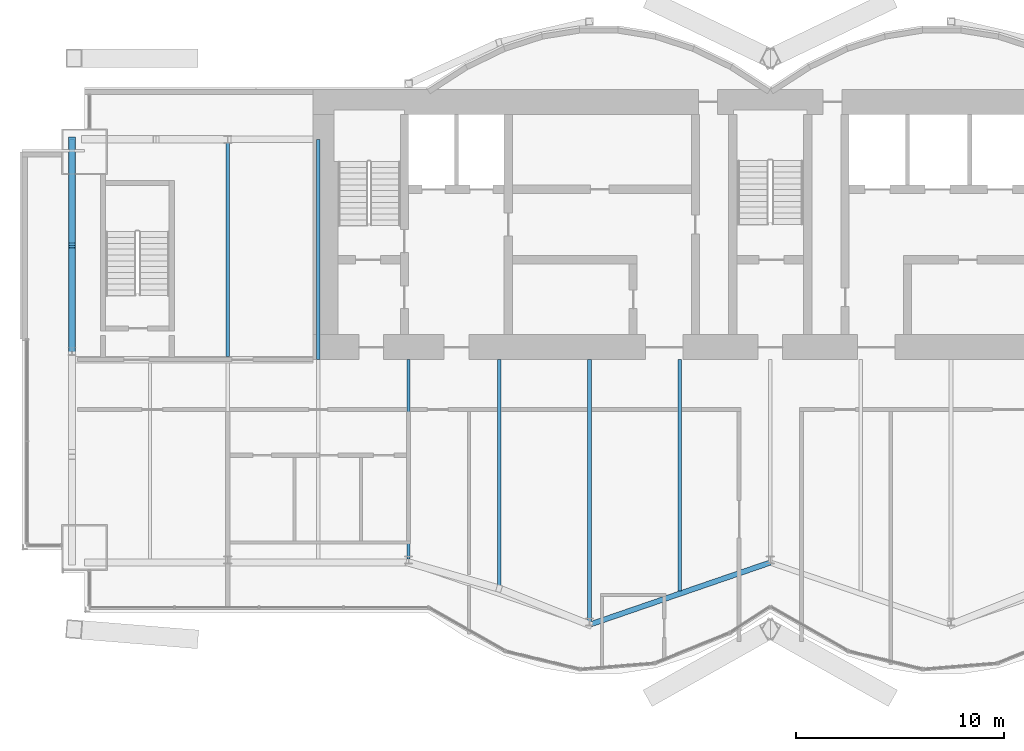
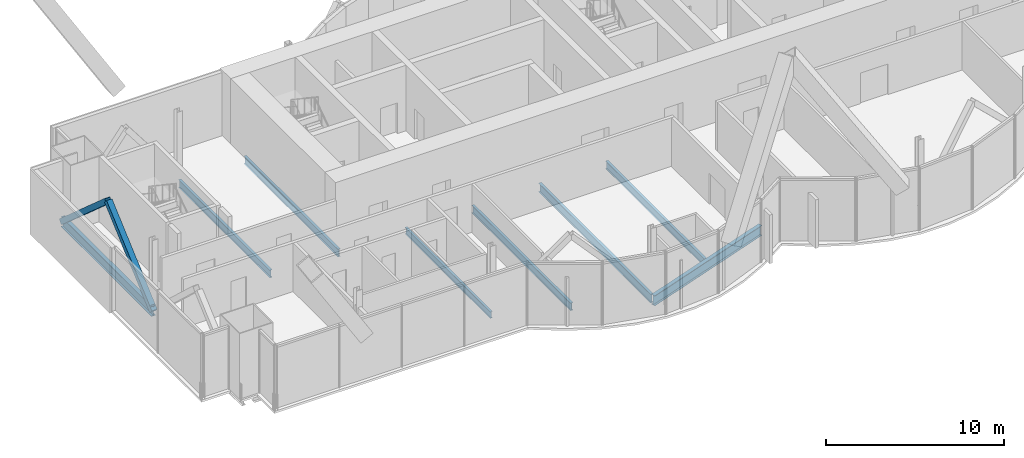
# One storey, part 4 of 17: 8 beams, 2 members.
"""IFC4 building model written with IfcOpenShell, lengths in metres."""

from ifc_helpers import new_model, si_unit, direction, frame, origin, origin_2d, place, context, subcontext, project, spatial, hollow_rectangle, i_section, extrude, material, material_profile, profile_set, type_object, element, save


model = new_model("IFC4")

# Units and contexts
model_context = context("Model", 3, precision=1e-05, world=origin(), true_north=direction((0.0, 1.0)))
body_context = subcontext(model_context, "Body", "Model", "MODEL_VIEW")
ifc_project = project(units=[si_unit("LENGTHUNIT", "METRE"), si_unit("AREAUNIT", "SQUARE_METRE"), si_unit("VOLUMEUNIT", "CUBIC_METRE"), si_unit("PLANEANGLEUNIT", "RADIAN"), si_unit("MASSUNIT", "GRAM", prefix="KILO")], contexts=[model_context])

# Site, building, storey
site_placement = place(None, origin())
site = spatial("IfcSite", under=ifc_project, at=site_placement, CompositionType="ELEMENT")
building_placement = place(site_placement, origin())
building = spatial("IfcBuilding", under=site, at=building_placement, Name="Bicima Exchange Tower", CompositionType="ELEMENT")
storey_placement = place(building_placement, frame((0.0, 0.0, 333.5)))
storey = spatial("IfcBuildingStorey", under=building, at=storey_placement, Name="L75", CompositionType="ELEMENT", Elevation=333.5)

# Beams
ifc_material_1 = material(Name="Steel ASTM A992 Gr 50", Category="steel")
ifc_material_profile_1 = material_profile(ifc_material_1, i_section(OverallWidth=0.256591796875, OverallDepth=0.693359375, WebThickness=0.014404296875, FlangeThickness=0.023681640625, at=origin_2d()))
ifc_profile_set_1 = profile_set([ifc_material_profile_1], Name="Steel ASTM A992 Gr 50")
beam_type_1 = type_object("IfcBeamType", Name="End girder W27x114", PredefinedType="BEAM", material=ifc_profile_set_1)
beam_1_placement = place(storey_placement, frame((-33.60009765625, -2.39990234375, -0.49658203125), z_axis=(0.0, -1.0, 0.0), x_axis=(1.0, 0.0, 0.0)))
element("IfcBeam", 1, at=beam_1_placement, inside=storey, type_object=beam_type_1, Name="End girder", PredefinedType="BEAM", context=body_context, shape_type="SweptSolid", body=[
    extrude(i_section(OverallWidth=0.256591796875, OverallDepth=0.693359375, WebThickness=0.014404296875, FlangeThickness=0.023681640625, at=origin_2d()), origin(), (0.0, 0.0, 1.0), 10.2001953125),
])
ifc_material_profile_2 = material_profile(ifc_material_1, i_section(OverallWidth=0.15283203125, OverallDepth=0.45458984375, WebThickness=0.008056640625, FlangeThickness=0.013427734375, at=origin_2d()))
ifc_profile_set_2 = profile_set([ifc_material_profile_2], Name="Steel ASTM A992 Gr 50")
beam_type_2 = type_object("IfcBeamType", Name="Floor beam W18x40", PredefinedType="JOIST", material=ifc_profile_set_2)
beam_2_placement = place(storey_placement, frame((-17.39990234375, -13.0, -0.377197265625), z_axis=(0.0, -1.0, 0.0), x_axis=(1.0, 0.0, 0.0)))
element("IfcBeam", 2, at=beam_2_placement, inside=storey, type_object=beam_type_2, Name="Floor beam", PredefinedType="JOIST", context=body_context, shape_type="SweptSolid", body=[
    extrude(i_section(OverallWidth=0.15283203125, OverallDepth=0.45458984375, WebThickness=0.008056640625, FlangeThickness=0.013427734375, at=origin_2d()), origin(), (0.0, 0.0, 1.0), 9.601318359375),
])
ifc_material_profile_3 = material_profile(ifc_material_1, i_section(OverallWidth=0.165771484375, OverallDepth=0.5283203125, WebThickness=0.009765625, FlangeThickness=0.013671875, at=origin_2d()))
ifc_profile_set_3 = profile_set([ifc_material_profile_3], Name="Steel ASTM A992 Gr 50")
beam_type_3 = type_object("IfcBeamType", Name="Floor beam W21x50", PredefinedType="JOIST", material=ifc_profile_set_3)
beam_3_placement = place(storey_placement, frame((-26.10009765625, -2.5625, -0.414306640625), z_axis=(0.0, -1.0, 0.0), x_axis=(1.0, 0.0, 0.0)))
element("IfcBeam", 3, at=beam_3_placement, inside=storey, type_object=beam_type_3, Name="Floor beam", PredefinedType="JOIST", context=body_context, shape_type="SweptSolid", body=[
    extrude(i_section(OverallWidth=0.165771484375, OverallDepth=0.5283203125, WebThickness=0.009765625, FlangeThickness=0.013671875, at=origin_2d()), origin(), (0.0, 0.0, 1.0), 10.28515625),
])
beam_4_placement = place(storey_placement, frame((-21.75, -2.39990234375, -0.414306640625), z_axis=(0.0, -1.0, 0.0), x_axis=(1.0, 0.0, 0.0)))
element("IfcBeam", 4, at=beam_4_placement, inside=storey, type_object=beam_type_3, Name="Floor beam", PredefinedType="JOIST", context=body_context, shape_type="SweptSolid", body=[
    extrude(i_section(OverallWidth=0.165771484375, OverallDepth=0.5283203125, WebThickness=0.009765625, FlangeThickness=0.013671875, at=origin_2d()), origin(), (0.0, 0.0, 1.0), 10.60009765625),
])
for number, where, z_axis, x_axis, name in (
    (5, (-13.050048828125, -13.0, -0.414306640625), (0.0, -1.0, 0.0), (1.0, 0.0, 0.0), "Floor beam"),
    (6, (-4.35009765625, -13.0, -0.414306640625), (0.0, -1.0, 0.0), (1.0, 0.0, 0.0), "Floor beam"),
):
    element("IfcBeam", number, at=place(storey_placement, frame(where, z_axis=z_axis, x_axis=x_axis)), inside=storey, type_object=beam_type_3, Name=name, PredefinedType="JOIST", context=body_context, shape_type="SweptSolid", body=[
        extrude(i_section(OverallWidth=0.165771484375, OverallDepth=0.5283203125, WebThickness=0.009765625, FlangeThickness=0.013671875, at=origin_2d()), origin(), (0.0, 0.0, 1.0), 11.123779296875),
    ])
ifc_material_profile_4 = material_profile(ifc_material_1, i_section(OverallWidth=0.177978515625, OverallDepth=0.599365234375, WebThickness=0.010009765625, FlangeThickness=0.012939453125, at=origin_2d()))
ifc_profile_set_4 = profile_set([ifc_material_profile_4], Name="Steel ASTM A992 Gr 50")
beam_type_4 = type_object("IfcBeamType", Name="Floor beam W24x55", PredefinedType="JOIST", material=ifc_profile_set_4)
beam_5_placement = place(storey_placement, frame((-8.699951171875, -13.0, -0.44970703125), z_axis=(0.0, -1.0, 0.0), x_axis=(1.0, 0.0, 0.0)))
element("IfcBeam", 7, at=beam_5_placement, inside=storey, type_object=beam_type_4, Name="Floor beam", PredefinedType="JOIST", context=body_context, shape_type="SweptSolid", body=[
    extrude(i_section(OverallWidth=0.177978515625, OverallDepth=0.599365234375, WebThickness=0.010009765625, FlangeThickness=0.012939453125, at=origin_2d()), origin(), (0.0, 0.0, 1.0), 12.619384765625),
])
beam_type_5 = type_object("IfcBeamType", Name="Front girder W27x114", PredefinedType="BEAM", material=ifc_profile_set_1)
beam_6_placement = place(storey_placement, frame((-8.699951171875, -25.755126953125, -0.49658203125), z_axis=(0.945666456746, 0.325138359143, 0.0), x_axis=(-0.325138359143, 0.945666456746, 0.0)))
element("IfcBeam", 8, at=beam_6_placement, inside=storey, type_object=beam_type_5, Name="Front girder", PredefinedType="BEAM", context=body_context, shape_type="SweptSolid", body=[
    extrude(i_section(OverallWidth=0.256591796875, OverallDepth=0.693359375, WebThickness=0.014404296875, FlangeThickness=0.023681640625, at=origin_2d()), origin(), (0.0, 0.0, 1.0), 9.19970703125),
])

# Members
ifc_material_2 = material(Name="Steel ASTM A572 Gr 50", Category="steel")
ifc_material_profile_5 = material_profile(ifc_material_2, hollow_rectangle(XDim=0.355712890625, YDim=0.355712890625, WallThickness=0.01171875, at=origin_2d()))
ifc_profile_set_5 = profile_set([ifc_material_profile_5], Name="Steel ASTM A572 Gr 50")
member_type = type_object("IfcMemberType", Name="Mega brace HSS14x14x1/2", PredefinedType="BRACE", material=ifc_profile_set_5)
for number, where, z_axis, x_axis, name in (
    (9, (-33.60009765625, -2.39990234375, -0.49658203125), (0.0, -0.749844140428, 0.661614513948), (1.0, 0.0, 0.0), "Mega brace west end"),
    (10, (-33.60009765625, -12.60009765625, -0.49658203125), (0.0, 0.749844140428, 0.661614513948), (-1.0, 0.0, 0.0), "Mega brace west end"),
):
    element("IfcMember", number, at=place(storey_placement, frame(where, z_axis=z_axis, x_axis=x_axis)), inside=storey, type_object=member_type, Name=name, PredefinedType="BRACE", context=body_context, shape_type="SweptSolid", body=[
        extrude(hollow_rectangle(XDim=0.355712890625, YDim=0.355712890625, WallThickness=0.01171875, at=origin_2d()), origin(), (0.0, 0.0, 1.0), 6.801513671875),
    ])

save(model, "model.ifc")
